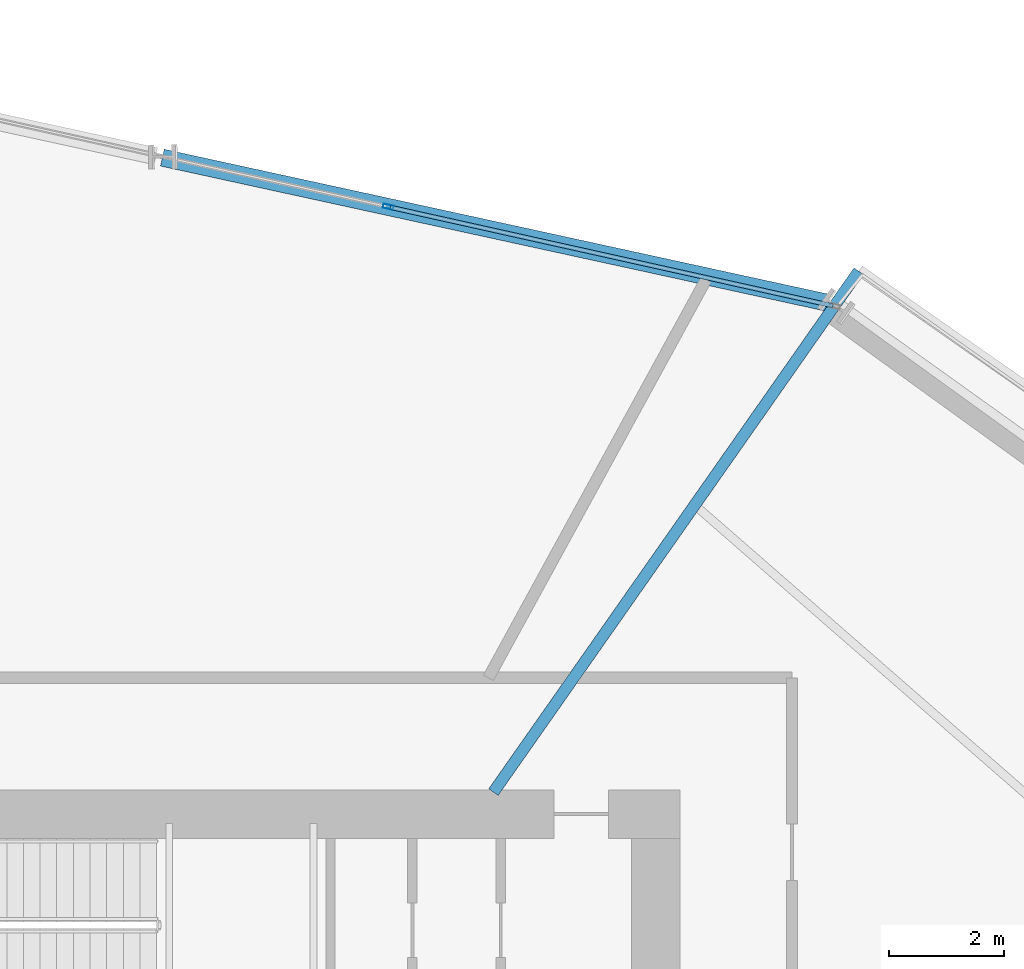
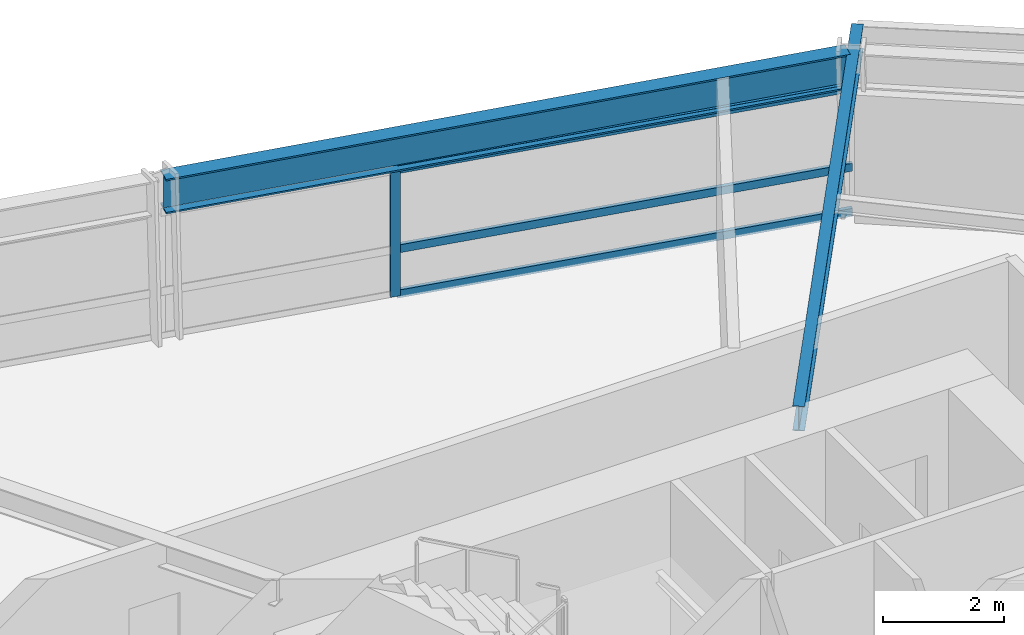
# One storey, part 11 of 24: 4 members, 2 beams, 1 element without a shape of its own.
"""IFC4 building model written with IfcOpenShell, lengths in metres."""

from ifc_helpers import new_model, si_unit, direction, frame, origin, origin_2d, place, context, subcontext, project, spatial, hollow_rectangle, i_section, extrude, source, transform, mapped, material, material_profile, profile_set, type_object, element, aggregate, save


model = new_model("IFC4")

# Units and contexts
model_context = context("Model", 3, precision=1e-05, world=origin(), true_north=direction((0.0, 1.0)))
body_context = subcontext(model_context, "Body", "Model", "MODEL_VIEW")
ifc_project = project(units=[si_unit("LENGTHUNIT", "METRE"), si_unit("AREAUNIT", "SQUARE_METRE"), si_unit("VOLUMEUNIT", "CUBIC_METRE"), si_unit("PLANEANGLEUNIT", "RADIAN"), si_unit("MASSUNIT", "GRAM", prefix="KILO")], contexts=[model_context])

# Site, building, storey
site_placement = place(None, origin())
site = spatial("IfcSite", under=ifc_project, at=site_placement, CompositionType="ELEMENT")
building_placement = place(site_placement, origin())
building = spatial("IfcBuilding", under=site, at=building_placement, Name="Olszyna Solenne Hotel", CompositionType="ELEMENT")
storey_placement = place(building_placement, frame((0.0, 0.0, 36.39990234375)))
storey = spatial("IfcBuildingStorey", under=building, at=storey_placement, Name="L08", CompositionType="ELEMENT", Elevation=36.39990234375)

# Beams
ifc_material_1 = material(Name="Steel S355J2", Category="steel")
ifc_material_profile_1 = material_profile(ifc_material_1, i_section(OverallWidth=0.300048828125, OverallDepth=0.699951171875, WebThickness=0.01708984375, FlangeThickness=0.031982421875, at=origin_2d()), Name="HEB 700", Category="load-bearing")
ifc_profile_set_1 = profile_set([ifc_material_profile_1], Name="Steel S355J2")
beam_type_1 = type_object("IfcBeamType", Name="BM-S1", PredefinedType="BEAM", material=ifc_profile_set_1)
shared_shape_1 = source(origin(), body_context, "Body", "SweptSolid", [
    extrude(i_section(OverallWidth=0.300048828125, OverallDepth=0.699951171875, WebThickness=0.01708984375, FlangeThickness=0.031982421875, at=origin_2d()), origin(), (0.0, 0.0, 1.0), 11.895751953125),
])
beam_1_placement = place(storey_placement, frame((49.353271484375, 43.02783203125, 2.9501953125), z_axis=(-0.97702757257, 0.213112933529, 0.0), x_axis=(-0.213112933529, -0.97702757257, 0.0)))
element("IfcBeam", 1, at=beam_1_placement, inside=storey, type_object=beam_type_1, Name="Perimeter spandrel beam BM-S1 B-L08-0262", PredefinedType="BEAM", context=body_context, shape_type="MappedRepresentation", body=[
    mapped(shared_shape_1, transform((0.0, 0.0, 0.0), x_axis=(1.0, 0.0, 0.0), y_axis=(0.0, 1.0, 0.0), z_axis=(0.0, 0.0, 1.0), scale=1.0)),
])
ifc_material_profile_2 = material_profile(ifc_material_1, i_section(OverallWidth=0.199951171875, OverallDepth=0.5, WebThickness=0.01025390625, FlangeThickness=0.01611328125, at=origin_2d()), Name="IPE 500", Category="load-bearing")
ifc_profile_set_2 = profile_set([ifc_material_profile_2], Name="Steel S355J2")
beam_type_2 = type_object("IfcBeamType", Name="BM-F3", PredefinedType="BEAM", material=ifc_profile_set_2)
shared_shape_2 = source(origin(), body_context, "Body", "SweptSolid", [
    extrude(i_section(OverallWidth=0.199951171875, OverallDepth=0.5, WebThickness=0.01025390625, FlangeThickness=0.01611328125, at=origin_2d()), origin(), (0.0, 0.0, 1.0), 11.08544921875),
])
beam_2_placement = place(storey_placement, frame((49.862548828125, 43.585205078125, 3.050048828125), z_axis=(-0.57411400545, -0.81877537136, 0.0), x_axis=(0.81877537136, -0.57411400545, 0.0)))
element("IfcBeam", 2, at=beam_2_placement, inside=storey, type_object=beam_type_2, Name="Radial floor girder BM-F3 B-L08-0274", PredefinedType="BEAM", context=body_context, shape_type="MappedRepresentation", body=[
    mapped(shared_shape_2, transform((0.0, 0.0, 0.0), x_axis=(1.0, 0.0, 0.0), y_axis=(0.0, 1.0, 0.0), z_axis=(0.0, 0.0, 1.0), scale=1.0)),
])

# Curtain wall, members
ifc_material_2 = material(Name="Anodised bronze aluminium", Category="aluminium")
curtain_wall_type = type_object("IfcCurtainWallType", Name="CW-SYS-2", PredefinedType="NOTDEFINED", material=ifc_material_2)
curtain_wall_placement = place(storey_placement, origin())
curtain_wall = element("IfcCurtainWall", 3, at=curtain_wall_placement, inside=storey, type_object=curtain_wall_type, Name="Unitised curtain wall CW-SYS-2 CW-L08-02", PredefinedType="NOTDEFINED")
ifc_material_profile_3 = material_profile(ifc_material_2, hollow_rectangle(XDim=0.074951171875, YDim=0.179931640625, WallThickness=0.00439453125, at=origin_2d()), Name="MULL 180x75x4.5", Category="load-bearing")
ifc_profile_set_3 = profile_set([ifc_material_profile_3], Name="Anodised bronze aluminium")
member_type_1 = type_object("IfcMemberType", Name="CW-M2", PredefinedType="MULLION", material=ifc_profile_set_3)
shared_shape_3 = source(origin(), body_context, "Body", "SweptSolid", [
    extrude(hollow_rectangle(XDim=0.074951171875, YDim=0.179931640625, WallThickness=0.00439453125, at=origin_2d()), origin(), (0.0, 0.0, 1.0), 2.592041015625),
])
member_1_placement = place(storey_placement, frame((41.664306640625, 44.70654296875, 0.0), z_axis=(0.0, 0.0, 1.0), x_axis=(0.217365299555, 0.976090327044, 0.0)))
member_1 = element("IfcMember", 4, at=member_1_placement, type_object=member_type_1, Name="Curtain-wall mullion CW-M2 CM-L08-02-03", PredefinedType="MULLION", context=body_context, shape_type="MappedRepresentation", body=[
    mapped(shared_shape_3, transform((0.0, 0.0, 0.0), x_axis=(1.0, 0.0, 0.0), y_axis=(0.0, 1.0, 0.0), z_axis=(0.0, 0.0, 1.0), scale=1.0)),
])
ifc_material_profile_4 = material_profile(ifc_material_2, hollow_rectangle(XDim=0.074951171875, YDim=0.159912109375, WallThickness=0.00390625, at=origin_2d()), Name="TRAN 160x75x4", Category="load-bearing")
ifc_profile_set_4 = profile_set([ifc_material_profile_4], Name="Anodised bronze aluminium")
member_type_2 = type_object("IfcMemberType", Name="CW-T1", PredefinedType="USERDEFINED", material=ifc_profile_set_4)
shared_shape_4 = source(origin(), body_context, "Body", "SweptSolid", [
    extrude(hollow_rectangle(XDim=0.074951171875, YDim=0.159912109375, WallThickness=0.00390625, at=origin_2d()), origin(), (0.0, 0.0, 1.0), 7.898193359375),
])
member_2_placement = place(storey_placement, frame((41.700927734375, 44.6982421875, 0.03759765625), z_axis=(0.976089499814, -0.217369014241, 0.0), x_axis=(0.217369014241, 0.976089499814, 0.0)))
member_2 = element("IfcMember", 5, at=member_2_placement, type_object=member_type_2, Name="Curtain-wall transom CW-T1 CT-L08-02-07", ObjectType="TRANSOM", PredefinedType="USERDEFINED", context=body_context, shape_type="MappedRepresentation", body=[
    mapped(shared_shape_4, transform((0.0, 0.0, 0.0), x_axis=(1.0, 0.0, 0.0), y_axis=(0.0, 1.0, 0.0), z_axis=(0.0, 0.0, 1.0), scale=1.0)),
])
member_3_placement = place(storey_placement, frame((41.700927734375, 44.6982421875, 0.9501953125), z_axis=(0.976089499814, -0.217369014241, 0.0), x_axis=(0.217369014241, 0.976089499814, 0.0)))
member_3 = element("IfcMember", 6, at=member_3_placement, type_object=member_type_2, Name="Curtain-wall transom CW-T1 CT-L08-02-08", ObjectType="TRANSOM", PredefinedType="USERDEFINED", context=body_context, shape_type="MappedRepresentation", body=[
    mapped(shared_shape_4, transform((0.0, 0.0, 0.0), x_axis=(1.0, 0.0, 0.0), y_axis=(0.0, 1.0, 0.0), z_axis=(0.0, 0.0, 1.0), scale=1.0)),
])
member_4_placement = place(storey_placement, frame((41.700927734375, 44.6982421875, 2.5546875), z_axis=(0.976089499814, -0.217369014241, 0.0), x_axis=(0.217369014241, 0.976089499814, 0.0)))
member_4 = element("IfcMember", 7, at=member_4_placement, type_object=member_type_2, Name="Curtain-wall transom CW-T1 CT-L08-02-09", ObjectType="TRANSOM", PredefinedType="USERDEFINED", context=body_context, shape_type="MappedRepresentation", body=[
    mapped(shared_shape_4, transform((0.0, 0.0, 0.0), x_axis=(1.0, 0.0, 0.0), y_axis=(0.0, 1.0, 0.0), z_axis=(0.0, 0.0, 1.0), scale=1.0)),
])
aggregate(curtain_wall, [member_1, member_2, member_3, member_4])

save(model, "model.ifc")
